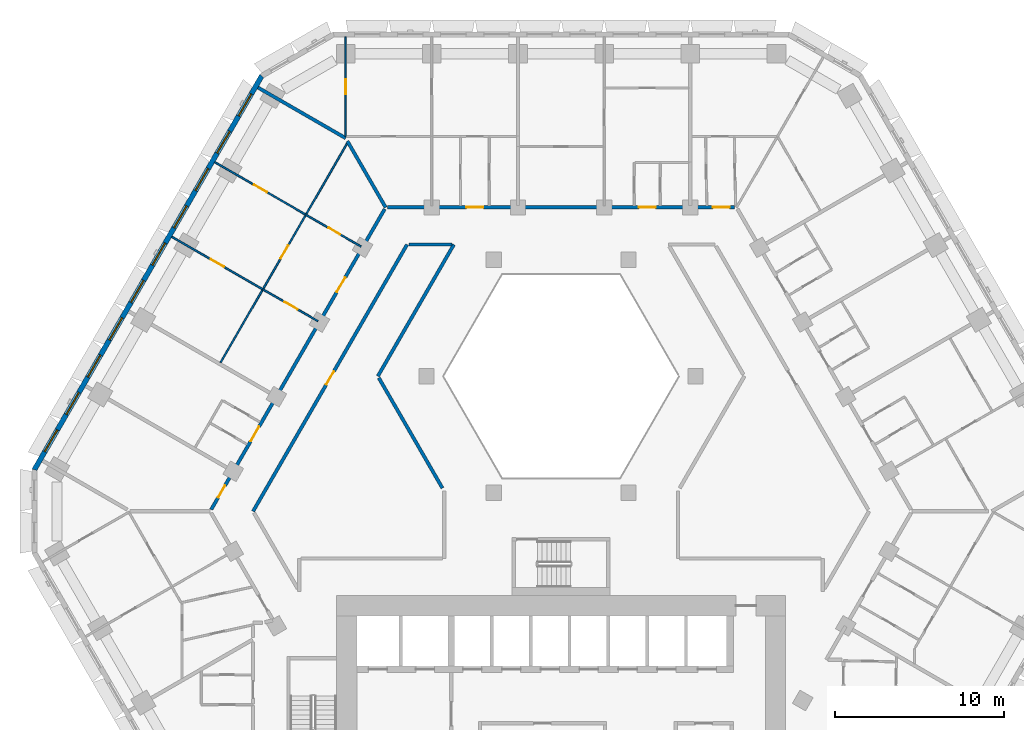
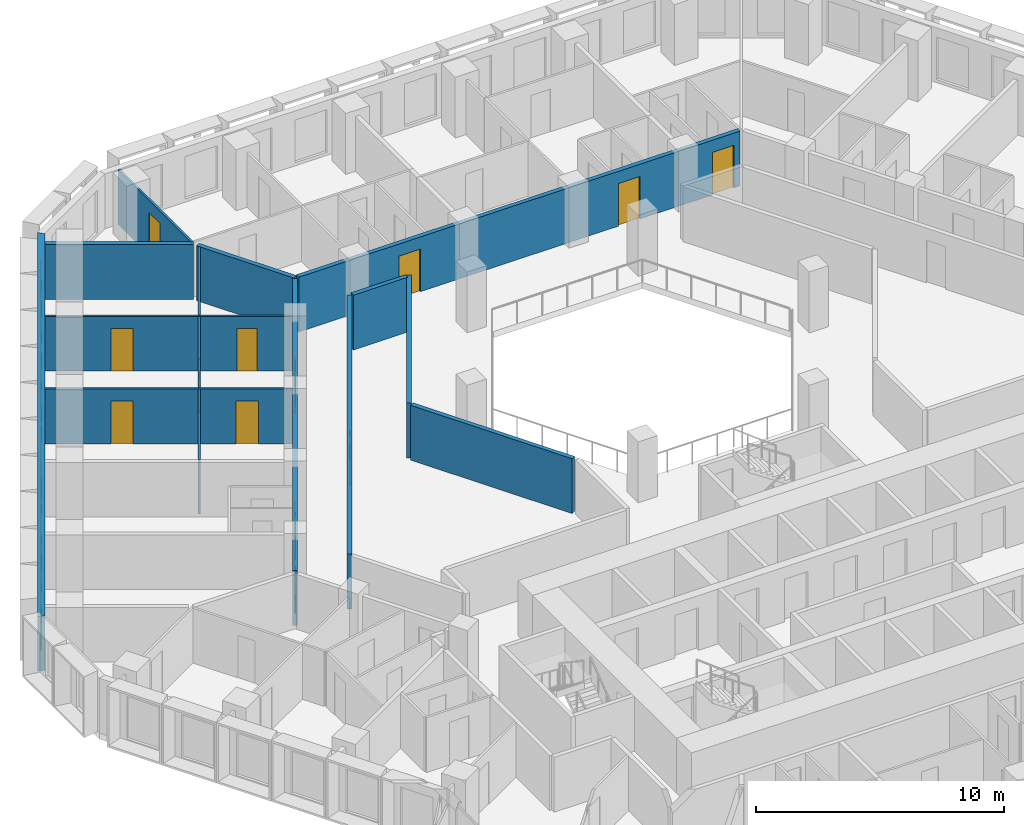
# One storey, part 9 of 21: 15 walls, 13 doors, 10 windows, 23 openings.
"""IFC4 building model written with IfcOpenShell, lengths in metres."""

from ifc_helpers import new_model, si_unit, direction, frame, frame_2d, origin, place, context, subcontext, project, spatial, polyline, rectangle, outline, extrude, material, layer, layer_set, type_object, element, fill, save


model = new_model("IFC4")

# Units and contexts
model_context = context("Model", 3, precision=1e-05, world=origin(), true_north=direction((0.0, 1.0)))
body_context = subcontext(model_context, "Body", "Model", "MODEL_VIEW")
ifc_project = project(units=[si_unit("LENGTHUNIT", "METRE"), si_unit("AREAUNIT", "SQUARE_METRE"), si_unit("VOLUMEUNIT", "CUBIC_METRE"), si_unit("PLANEANGLEUNIT", "RADIAN"), si_unit("MASSUNIT", "GRAM", prefix="KILO")], contexts=[model_context])

# Site, building, storey
site_placement = place(None, origin())
site = spatial("IfcSite", under=ifc_project, at=site_placement, CompositionType="ELEMENT")
building_placement = place(site_placement, origin())
building = spatial("IfcBuilding", under=site, at=building_placement, Name="Beryl Residences", CompositionType="ELEMENT")
storey_placement = place(building_placement, frame((0.0, 0.0, 47.39990234375)))
storey = spatial("IfcBuildingStorey", under=building, at=storey_placement, Name="L14", CompositionType="ELEMENT", Elevation=47.39990234375)

# Wall, openings, windows
ifc_material_1 = material(Name="Composite metal panel with mineral wool insulation")
ifc_layer_1 = layer(ifc_material_1, 0.300048828125)
ifc_layer_set_1 = layer_set([ifc_layer_1], Name="ES1 pale metal composite panel wall 300 mm")
wall_type_1 = type_object("IfcWallType", Name="ES1 pale metal composite panel wall 300 mm", PredefinedType="SOLIDWALL", material=ifc_layer_set_1)
wall_1_placement = place(storey_placement, frame((-17.7099609375, 25.824951171875, 0.0), z_axis=(0.0, 0.0, 1.0), x_axis=(-0.500001938803, -0.866024284413, 0.0)))
wall_1 = element("IfcWall", 1, at=wall_1_placement, inside=storey, type_object=wall_type_1, Name="ES1 external wall L14 NW", PredefinedType="SOLIDWALL", context=body_context, shape_type="SweptSolid", body=[
    extrude(outline(polyline([(0.0, -0.14990234375), (27.02001953125, -0.14990234375), (26.939697265625, 0.14990234375), (0.080322265625, 0.14990234375), (0.0, -0.14990234375)])), origin(), (0.0, 0.0, 1.0), 2.7001953125),
])
opening_1_placement = place(wall_1_placement, frame((1.277099609375, 0.0, 0.14990234375)))
opening_1 = element("IfcOpeningElement", 2, at=opening_1_placement, cuts=wall_1, Name="Opening W1", PredefinedType="OPENING", context=body_context, shape_type="SweptSolid", body=[
    extrude(rectangle(XDim=1.5, YDim=2.10009765625, at=frame_2d((0.75, 1.050048828125))), frame((0.0, 0.159912109375, 0.0), z_axis=(0.0, -1.0, 0.0), x_axis=(1.0, 0.0, 0.0)), (0.0, 0.0, 1.0), 0.320068359375),
])
opening_2_placement = place(wall_1_placement, frame((3.8291015625, 0.0, 0.14990234375)))
opening_2 = element("IfcOpeningElement", 3, at=opening_2_placement, cuts=wall_1, Name="Opening W1", PredefinedType="OPENING", context=body_context, shape_type="SweptSolid", body=[
    extrude(rectangle(XDim=1.5, YDim=2.10009765625, at=frame_2d((0.75, 1.050048828125))), frame((0.0, 0.159912109375, 0.0), z_axis=(0.0, -1.0, 0.0), x_axis=(1.0, 0.0, 0.0)), (0.0, 0.0, 1.0), 0.320068359375),
])
opening_3_placement = place(wall_1_placement, frame((6.382080078125, 0.0, 0.14990234375)))
opening_3 = element("IfcOpeningElement", 4, at=opening_3_placement, cuts=wall_1, Name="Opening W1", PredefinedType="OPENING", context=body_context, shape_type="SweptSolid", body=[
    extrude(rectangle(XDim=1.5, YDim=2.10009765625, at=frame_2d((0.75, 1.050048828125))), frame((0.0, 0.159912109375, 0.0), z_axis=(0.0, -1.0, 0.0), x_axis=(1.0, 0.0, 0.0)), (0.0, 0.0, 1.0), 0.320068359375),
])
opening_4_placement = place(wall_1_placement, frame((8.93310546875, 0.0, 0.14990234375)))
opening_4 = element("IfcOpeningElement", 5, at=opening_4_placement, cuts=wall_1, Name="Opening W1", PredefinedType="OPENING", context=body_context, shape_type="SweptSolid", body=[
    extrude(rectangle(XDim=1.5, YDim=2.10009765625, at=frame_2d((0.75, 1.050048828125))), frame((0.0, 0.159912109375, 0.0), z_axis=(0.0, -1.0, 0.0), x_axis=(1.0, 0.0, 0.0)), (0.0, 0.0, 1.0), 0.320068359375),
])
opening_5_placement = place(wall_1_placement, frame((11.485107421875, 0.0, 0.14990234375)))
opening_5 = element("IfcOpeningElement", 6, at=opening_5_placement, cuts=wall_1, Name="Opening W1", PredefinedType="OPENING", context=body_context, shape_type="SweptSolid", body=[
    extrude(rectangle(XDim=1.5, YDim=2.10009765625, at=frame_2d((0.75, 1.050048828125))), frame((0.0, 0.159912109375, 0.0), z_axis=(0.0, -1.0, 0.0), x_axis=(1.0, 0.0, 0.0)), (0.0, 0.0, 1.0), 0.320068359375),
])
opening_6_placement = place(wall_1_placement, frame((14.037109375, 0.0, 0.14990234375)))
opening_6 = element("IfcOpeningElement", 7, at=opening_6_placement, cuts=wall_1, Name="Opening W1", PredefinedType="OPENING", context=body_context, shape_type="SweptSolid", body=[
    extrude(rectangle(XDim=1.5, YDim=2.10009765625, at=frame_2d((0.75, 1.050048828125))), frame((0.0, 0.159912109375, 0.0), z_axis=(0.0, -1.0, 0.0), x_axis=(1.0, 0.0, 0.0)), (0.0, 0.0, 1.0), 0.320068359375),
])
opening_7_placement = place(wall_1_placement, frame((16.589111328125, 0.0, 0.14990234375)))
opening_7 = element("IfcOpeningElement", 8, at=opening_7_placement, cuts=wall_1, Name="Opening W1", PredefinedType="OPENING", context=body_context, shape_type="SweptSolid", body=[
    extrude(rectangle(XDim=1.5, YDim=2.10009765625, at=frame_2d((0.75, 1.050048828125))), frame((0.0, 0.159912109375, 0.0), z_axis=(0.0, -1.0, 0.0), x_axis=(1.0, 0.0, 0.0)), (0.0, 0.0, 1.0), 0.320068359375),
])
opening_8_placement = place(wall_1_placement, frame((19.14111328125, 0.0, 0.14990234375)))
opening_8 = element("IfcOpeningElement", 9, at=opening_8_placement, cuts=wall_1, Name="Opening W1", PredefinedType="OPENING", context=body_context, shape_type="SweptSolid", body=[
    extrude(rectangle(XDim=1.5, YDim=2.10009765625, at=frame_2d((0.75, 1.050048828125))), frame((0.0, 0.159912109375, 0.0), z_axis=(0.0, -1.0, 0.0), x_axis=(1.0, 0.0, 0.0)), (0.0, 0.0, 1.0), 0.320068359375),
])
opening_9_placement = place(wall_1_placement, frame((21.693115234375, 0.0, 0.14990234375)))
opening_9 = element("IfcOpeningElement", 10, at=opening_9_placement, cuts=wall_1, Name="Opening W1", PredefinedType="OPENING", context=body_context, shape_type="SweptSolid", body=[
    extrude(rectangle(XDim=1.5, YDim=2.10009765625, at=frame_2d((0.75, 1.050048828125))), frame((0.0, 0.159912109375, 0.0), z_axis=(0.0, -1.0, 0.0), x_axis=(1.0, 0.0, 0.0)), (0.0, 0.0, 1.0), 0.320068359375),
])
opening_10_placement = place(wall_1_placement, frame((24.243896484375, 0.0, 0.14990234375)))
opening_10 = element("IfcOpeningElement", 11, at=opening_10_placement, cuts=wall_1, Name="Opening W1", PredefinedType="OPENING", context=body_context, shape_type="SweptSolid", body=[
    extrude(rectangle(XDim=1.5, YDim=2.10009765625, at=frame_2d((0.75, 1.050048828125))), frame((0.0, 0.159912109375, 0.0), z_axis=(0.0, -1.0, 0.0), x_axis=(1.0, 0.0, 0.0)), (0.0, 0.0, 1.0), 0.320068359375),
])
ifc_material_2 = material(Name="Aluminium and clear glass", Category="aluminium")
window_type = type_object("IfcWindowType", Name="W1 cell window 1500 x 2100 mm", PartitioningType="SINGLE_PANEL", PredefinedType="WINDOW", material=ifc_material_2)
window_1_placement = place(opening_1_placement, origin())
window_1 = element("IfcWindow", 12, at=window_1_placement, inside=storey, type_object=window_type, Name="W1 window L14 NW 1", OverallHeight=2.10009765625, OverallWidth=1.5, PartitioningType="SINGLE_PANEL", PredefinedType="WINDOW", context=body_context, shape_type="SweptSolid", body=[
    extrude(rectangle(XDim=1.5, YDim=2.10009765625, at=frame_2d((0.75, 1.050048828125))), frame((0.0, 0.030029296875, 0.0), z_axis=(0.0, -1.0, 0.0), x_axis=(1.0, 0.0, 0.0)), (0.0, 0.0, 1.0), 0.06005859375),
])
fill(opening_1, window_1)
window_2_placement = place(opening_2_placement, origin())
window_2 = element("IfcWindow", 13, at=window_2_placement, inside=storey, type_object=window_type, Name="W1 window L14 NW 2", OverallHeight=2.10009765625, OverallWidth=1.5, PartitioningType="SINGLE_PANEL", PredefinedType="WINDOW", context=body_context, shape_type="SweptSolid", body=[
    extrude(rectangle(XDim=1.5, YDim=2.10009765625, at=frame_2d((0.75, 1.050048828125))), frame((0.0, 0.030029296875, 0.0), z_axis=(0.0, -1.0, 0.0), x_axis=(1.0, 0.0, 0.0)), (0.0, 0.0, 1.0), 0.06005859375),
])
fill(opening_2, window_2)
window_3_placement = place(opening_3_placement, origin())
window_3 = element("IfcWindow", 14, at=window_3_placement, inside=storey, type_object=window_type, Name="W1 window L14 NW 3", OverallHeight=2.10009765625, OverallWidth=1.5, PartitioningType="SINGLE_PANEL", PredefinedType="WINDOW", context=body_context, shape_type="SweptSolid", body=[
    extrude(rectangle(XDim=1.5, YDim=2.10009765625, at=frame_2d((0.75, 1.050048828125))), frame((0.0, 0.030029296875, 0.0), z_axis=(0.0, -1.0, 0.0), x_axis=(1.0, 0.0, 0.0)), (0.0, 0.0, 1.0), 0.06005859375),
])
fill(opening_3, window_3)
window_4_placement = place(opening_4_placement, origin())
window_4 = element("IfcWindow", 15, at=window_4_placement, inside=storey, type_object=window_type, Name="W1 window L14 NW 4", OverallHeight=2.10009765625, OverallWidth=1.5, PartitioningType="SINGLE_PANEL", PredefinedType="WINDOW", context=body_context, shape_type="SweptSolid", body=[
    extrude(rectangle(XDim=1.5, YDim=2.10009765625, at=frame_2d((0.75, 1.050048828125))), frame((0.0, 0.030029296875, 0.0), z_axis=(0.0, -1.0, 0.0), x_axis=(1.0, 0.0, 0.0)), (0.0, 0.0, 1.0), 0.06005859375),
])
fill(opening_4, window_4)
window_5_placement = place(opening_5_placement, origin())
window_5 = element("IfcWindow", 16, at=window_5_placement, inside=storey, type_object=window_type, Name="W1 window L14 NW 5", OverallHeight=2.10009765625, OverallWidth=1.5, PartitioningType="SINGLE_PANEL", PredefinedType="WINDOW", context=body_context, shape_type="SweptSolid", body=[
    extrude(rectangle(XDim=1.5, YDim=2.10009765625, at=frame_2d((0.75, 1.050048828125))), frame((0.0, 0.030029296875, 0.0), z_axis=(0.0, -1.0, 0.0), x_axis=(1.0, 0.0, 0.0)), (0.0, 0.0, 1.0), 0.06005859375),
])
fill(opening_5, window_5)
window_6_placement = place(opening_6_placement, origin())
window_6 = element("IfcWindow", 17, at=window_6_placement, inside=storey, type_object=window_type, Name="W1 window L14 NW 6", OverallHeight=2.10009765625, OverallWidth=1.5, PartitioningType="SINGLE_PANEL", PredefinedType="WINDOW", context=body_context, shape_type="SweptSolid", body=[
    extrude(rectangle(XDim=1.5, YDim=2.10009765625, at=frame_2d((0.75, 1.050048828125))), frame((0.0, 0.030029296875, 0.0), z_axis=(0.0, -1.0, 0.0), x_axis=(1.0, 0.0, 0.0)), (0.0, 0.0, 1.0), 0.06005859375),
])
fill(opening_6, window_6)
window_7_placement = place(opening_7_placement, origin())
window_7 = element("IfcWindow", 18, at=window_7_placement, inside=storey, type_object=window_type, Name="W1 window L14 NW 7", OverallHeight=2.10009765625, OverallWidth=1.5, PartitioningType="SINGLE_PANEL", PredefinedType="WINDOW", context=body_context, shape_type="SweptSolid", body=[
    extrude(rectangle(XDim=1.5, YDim=2.10009765625, at=frame_2d((0.75, 1.050048828125))), frame((0.0, 0.030029296875, 0.0), z_axis=(0.0, -1.0, 0.0), x_axis=(1.0, 0.0, 0.0)), (0.0, 0.0, 1.0), 0.06005859375),
])
fill(opening_7, window_7)
window_8_placement = place(opening_8_placement, origin())
window_8 = element("IfcWindow", 19, at=window_8_placement, inside=storey, type_object=window_type, Name="W1 window L14 NW 8", OverallHeight=2.10009765625, OverallWidth=1.5, PartitioningType="SINGLE_PANEL", PredefinedType="WINDOW", context=body_context, shape_type="SweptSolid", body=[
    extrude(rectangle(XDim=1.5, YDim=2.10009765625, at=frame_2d((0.75, 1.050048828125))), frame((0.0, 0.030029296875, 0.0), z_axis=(0.0, -1.0, 0.0), x_axis=(1.0, 0.0, 0.0)), (0.0, 0.0, 1.0), 0.06005859375),
])
fill(opening_8, window_8)
window_9_placement = place(opening_9_placement, origin())
window_9 = element("IfcWindow", 20, at=window_9_placement, inside=storey, type_object=window_type, Name="W1 window L14 NW 9", OverallHeight=2.10009765625, OverallWidth=1.5, PartitioningType="SINGLE_PANEL", PredefinedType="WINDOW", context=body_context, shape_type="SweptSolid", body=[
    extrude(rectangle(XDim=1.5, YDim=2.10009765625, at=frame_2d((0.75, 1.050048828125))), frame((0.0, 0.030029296875, 0.0), z_axis=(0.0, -1.0, 0.0), x_axis=(1.0, 0.0, 0.0)), (0.0, 0.0, 1.0), 0.06005859375),
])
fill(opening_9, window_9)
window_10_placement = place(opening_10_placement, origin())
window_10 = element("IfcWindow", 21, at=window_10_placement, inside=storey, type_object=window_type, Name="W1 window L14 NW 10", OverallHeight=2.10009765625, OverallWidth=1.5, PartitioningType="SINGLE_PANEL", PredefinedType="WINDOW", context=body_context, shape_type="SweptSolid", body=[
    extrude(rectangle(XDim=1.5, YDim=2.10009765625, at=frame_2d((0.75, 1.050048828125))), frame((0.0, 0.030029296875, 0.0), z_axis=(0.0, -1.0, 0.0), x_axis=(1.0, 0.0, 0.0)), (0.0, 0.0, 1.0), 0.06005859375),
])
fill(opening_10, window_10)

# Wall, opening, door
ifc_material_3 = material(Name="Gypsum board partition on steel studs", Category="steel")
ifc_layer_2 = layer(ifc_material_3, 0.10009765625)
ifc_layer_set_2 = layer_set([ifc_layer_2], Name="PT1 partition 100 mm gypsum board on steel studs")
wall_type_2 = type_object("IfcWallType", Name="PT1 partition 100 mm gypsum board on steel studs", PredefinedType="PARTITIONING", material=ifc_layer_set_2)
wall_2_placement = place(storey_placement, frame((-20.508056640625, 20.678955078125, 0.0), z_axis=(0.0, 0.0, 1.0), x_axis=(0.86607068519, -0.499921562103, 0.0)))
wall_2 = element("IfcWall", 22, at=wall_2_placement, inside=storey, type_object=wall_type_2, Name="Wall PT1 L14 024", PredefinedType="PARTITIONING", context=body_context, shape_type="SweptSolid", body=[
    extrude(rectangle(XDim=6.22705078125, YDim=0.10009765625, at=frame_2d((3.113525390625, 0.0))), origin(), (0.0, 0.0, 1.0), 2.7001953125),
])
opening_11_placement = place(wall_2_placement, frame((2.6630859375, 0.0, 0.0)))
opening_11 = element("IfcOpeningElement", 23, at=opening_11_placement, cuts=wall_2, Name="Opening D0206", PredefinedType="OPENING", context=body_context, shape_type="SweptSolid", body=[
    extrude(rectangle(XDim=0.89990234375, YDim=2.10009765625, at=frame_2d((0.449951171875, 1.050048828125))), frame((0.0, 0.06005859375, 0.0), z_axis=(0.0, -1.0, 0.0), x_axis=(1.0, 0.0, 0.0)), (0.0, 0.0, 1.0), 0.1201171875),
])
ifc_material_4 = material(Name="Timber door leaf", Category="wood")
door_type_1 = type_object("IfcDoorType", Name="D2 room door 900 x 2100 mm", OperationType="SINGLE_SWING_LEFT", PredefinedType="DOOR", material=ifc_material_4)
door_1_placement = place(opening_11_placement, origin())
door_1 = element("IfcDoor", 24, at=door_1_placement, inside=storey, type_object=door_type_1, Name="Door D0206 L14 001", OperationType="SINGLE_SWING_RIGHT", OverallHeight=2.10009765625, OverallWidth=0.89990234375, PredefinedType="DOOR", context=body_context, shape_type="SweptSolid", body=[
    extrude(rectangle(XDim=0.89990234375, YDim=2.10009765625, at=frame_2d((0.449951171875, 1.050048828125))), frame((0.0, 0.02490234375, 0.0), z_axis=(0.0, -1.0, 0.0), x_axis=(1.0, 0.0, 0.0)), (0.0, 0.0, 1.0), 0.050048828125),
])
fill(opening_11, door_1)

wall_3_placement = place(storey_placement, frame((-23.06005859375, 16.259033203125, 0.0), z_axis=(0.0, 0.0, 1.0), x_axis=(0.86607068519, -0.499921562103, 0.0)))
wall_3 = element("IfcWall", 25, at=wall_3_placement, inside=storey, type_object=wall_type_2, Name="Wall PT1 L14 027", PredefinedType="PARTITIONING", context=body_context, shape_type="SweptSolid", body=[
    extrude(rectangle(XDim=6.22705078125, YDim=0.10009765625, at=frame_2d((3.113525390625, 0.0))), origin(), (0.0, 0.0, 1.0), 2.7001953125),
])
opening_12_placement = place(wall_3_placement, frame((2.6630859375, 0.0, 0.0)))
opening_12 = element("IfcOpeningElement", 26, at=opening_12_placement, cuts=wall_3, Name="Opening D0205", PredefinedType="OPENING", context=body_context, shape_type="SweptSolid", body=[
    extrude(rectangle(XDim=0.89990234375, YDim=2.10009765625, at=frame_2d((0.449951171875, 1.050048828125))), frame((0.0, 0.06005859375, 0.0), z_axis=(0.0, -1.0, 0.0), x_axis=(1.0, 0.0, 0.0)), (0.0, 0.0, 1.0), 0.1201171875),
])
door_2_placement = place(opening_12_placement, origin())
door_2 = element("IfcDoor", 27, at=door_2_placement, inside=storey, type_object=door_type_1, Name="Door D0205 L14 001", OperationType="SINGLE_SWING_LEFT", OverallHeight=2.10009765625, OverallWidth=0.89990234375, PredefinedType="DOOR", context=body_context, shape_type="SweptSolid", body=[
    extrude(rectangle(XDim=0.89990234375, YDim=2.10009765625, at=frame_2d((0.449951171875, 1.050048828125))), frame((0.0, 0.02490234375, 0.0), z_axis=(0.0, -1.0, 0.0), x_axis=(1.0, 0.0, 0.0)), (0.0, 0.0, 1.0), 0.050048828125),
])
fill(opening_12, door_2)

wall_4_placement = place(storey_placement, frame((-20.1689453125, 8.81201171875, 0.0), z_axis=(0.0, 0.0, 1.0), x_axis=(0.499995459772, 0.86602802507, 0.0)))
wall_4 = element("IfcWall", 28, at=wall_4_placement, inside=storey, type_object=wall_type_2, Name="Wall PT1 L14 043", PredefinedType="PARTITIONING", context=body_context, shape_type="SweptSolid", body=[
    extrude(rectangle(XDim=14.966064453125, YDim=0.10009765625, at=frame_2d((7.48291015625, 0.0))), origin(), (0.0, 0.0, 1.0), 2.7001953125),
])
opening_13_placement = place(wall_4_placement, frame((7.10498046875, 0.0, 0.0)))
opening_13 = element("IfcOpeningElement", 29, at=opening_13_placement, cuts=wall_4, Name="Opening D0202", PredefinedType="OPENING", context=body_context, shape_type="SweptSolid", body=[
    extrude(rectangle(XDim=0.89990234375, YDim=2.10009765625, at=frame_2d((0.449951171875, 1.050048828125))), frame((0.0, 0.06005859375, 0.0), z_axis=(0.0, -1.0, 0.0), x_axis=(1.0, 0.0, 0.0)), (0.0, 0.0, 1.0), 0.1201171875),
])
door_3_placement = place(opening_13_placement, origin())
door_3 = element("IfcDoor", 30, at=door_3_placement, inside=storey, type_object=door_type_1, Name="Door D0202 L14 001", OperationType="SINGLE_SWING_RIGHT", OverallHeight=2.10009765625, OverallWidth=0.89990234375, PredefinedType="DOOR", context=body_context, shape_type="SweptSolid", body=[
    extrude(rectangle(XDim=0.89990234375, YDim=2.10009765625, at=frame_2d((0.449951171875, 1.050048828125))), frame((0.0, 0.02490234375, 0.0), z_axis=(0.0, -1.0, 0.0), x_axis=(1.0, 0.0, 0.0)), (0.0, 0.0, 1.0), 0.050048828125),
])
fill(opening_13, door_3)

wall_5_placement = place(storey_placement, frame((-12.760986328125, 22.199951171875, 0.0), z_axis=(0.0, 0.0, 1.0), x_axis=(0.0, 1.0, 0.0)))
wall_5 = element("IfcWall", 31, at=wall_5_placement, inside=storey, type_object=wall_type_2, Name="Wall PT1 L14 059", PredefinedType="PARTITIONING", context=body_context, shape_type="SweptSolid", body=[
    extrude(rectangle(XDim=5.900146484375, YDim=0.10009765625, at=frame_2d((2.9501953125, 0.0))), origin(), (0.0, 0.0, 1.0), 2.7001953125),
])
opening_14_placement = place(wall_5_placement, frame((2.5, 0.0, 0.0)))
opening_14 = element("IfcOpeningElement", 32, at=opening_14_placement, cuts=wall_5, Name="Opening D0280", PredefinedType="OPENING", context=body_context, shape_type="SweptSolid", body=[
    extrude(rectangle(XDim=0.89990234375, YDim=2.10009765625, at=frame_2d((0.449951171875, 1.050048828125))), frame((0.0, 0.06005859375, 0.0), z_axis=(0.0, -1.0, 0.0), x_axis=(1.0, 0.0, 0.0)), (0.0, 0.0, 1.0), 0.1201171875),
])
door_4_placement = place(opening_14_placement, origin())
door_4 = element("IfcDoor", 33, at=door_4_placement, inside=storey, type_object=door_type_1, Name="Door D0280 L14 001", OperationType="SINGLE_SWING_RIGHT", OverallHeight=2.10009765625, OverallWidth=0.89990234375, PredefinedType="DOOR", context=body_context, shape_type="SweptSolid", body=[
    extrude(rectangle(XDim=0.89990234375, YDim=2.10009765625, at=frame_2d((0.449951171875, 1.050048828125))), frame((0.0, 0.02490234375, 0.0), z_axis=(0.0, -1.0, 0.0), x_axis=(1.0, 0.0, 0.0)), (0.0, 0.0, 1.0), 0.050048828125),
])
fill(opening_14, door_4)

wall_6_placement = place(storey_placement, frame((-15.114990234375, 17.56591796875, 0.0), z_axis=(0.0, 0.0, 1.0), x_axis=(0.866008894869, -0.50002859319, 0.0)))
wall_6 = element("IfcWall", 34, at=wall_6_placement, inside=storey, type_object=wall_type_2, Name="Wall PT1 L14 076", PredefinedType="PARTITIONING", context=body_context, shape_type="SweptSolid", body=[
    extrude(rectangle(XDim=3.773681640625, YDim=0.10009765625, at=frame_2d((1.88671875, 0.0))), origin(), (0.0, 0.0, 1.0), 2.7001953125),
])
opening_15_placement = place(wall_6_placement, frame((1.535888671875, 0.0, 0.0)))
opening_15 = element("IfcOpeningElement", 35, at=opening_15_placement, cuts=wall_6, Name="Opening D0203", PredefinedType="OPENING", context=body_context, shape_type="SweptSolid", body=[
    extrude(rectangle(XDim=0.800048828125, YDim=2.10009765625, at=frame_2d((0.39990234375, 1.050048828125))), frame((0.0, 0.06005859375, 0.0), z_axis=(0.0, -1.0, 0.0), x_axis=(1.0, 0.0, 0.0)), (0.0, 0.0, 1.0), 0.1201171875),
])
ifc_material_5 = material(Name="Timber door leaf", Category="wood")
door_type_2 = type_object("IfcDoorType", Name="D3 bathroom door 800 x 2100 mm", OperationType="SINGLE_SWING_LEFT", PredefinedType="DOOR", material=ifc_material_5)
door_5_placement = place(opening_15_placement, origin())
door_5 = element("IfcDoor", 36, at=door_5_placement, inside=storey, type_object=door_type_2, Name="Door D0203 L14 001", OperationType="SINGLE_SWING_LEFT", OverallHeight=2.10009765625, OverallWidth=0.800048828125, PredefinedType="DOOR", context=body_context, shape_type="SweptSolid", body=[
    extrude(rectangle(XDim=0.800048828125, YDim=2.10009765625, at=frame_2d((0.39990234375, 1.050048828125))), frame((0.0, 0.02490234375, 0.0), z_axis=(0.0, -1.0, 0.0), x_axis=(1.0, 0.0, 0.0)), (0.0, 0.0, 1.0), 0.050048828125),
])
fill(opening_15, door_5)

wall_7_placement = place(storey_placement, frame((-17.6669921875, 13.14599609375, 0.0), z_axis=(0.0, 0.0, 1.0), x_axis=(0.866008894869, -0.50002859319, 0.0)))
wall_7 = element("IfcWall", 37, at=wall_7_placement, inside=storey, type_object=wall_type_2, Name="Wall PT1 L14 078", PredefinedType="PARTITIONING", context=body_context, shape_type="SweptSolid", body=[
    extrude(rectangle(XDim=3.773681640625, YDim=0.10009765625, at=frame_2d((1.88671875, 0.0))), origin(), (0.0, 0.0, 1.0), 2.7001953125),
])
opening_16_placement = place(wall_7_placement, frame((1.486083984375, 0.0, 0.0)))
opening_16 = element("IfcOpeningElement", 38, at=opening_16_placement, cuts=wall_7, Name="Opening D0204", PredefinedType="OPENING", context=body_context, shape_type="SweptSolid", body=[
    extrude(rectangle(XDim=0.89990234375, YDim=2.10009765625, at=frame_2d((0.449951171875, 1.050048828125))), frame((0.0, 0.06005859375, 0.0), z_axis=(0.0, -1.0, 0.0), x_axis=(1.0, 0.0, 0.0)), (0.0, 0.0, 1.0), 0.1201171875),
])
door_6_placement = place(opening_16_placement, origin())
door_6 = element("IfcDoor", 39, at=door_6_placement, inside=storey, type_object=door_type_1, Name="Door D0204 L14 001", OperationType="SINGLE_SWING_RIGHT", OverallHeight=2.10009765625, OverallWidth=0.89990234375, PredefinedType="DOOR", context=body_context, shape_type="SweptSolid", body=[
    extrude(rectangle(XDim=0.89990234375, YDim=2.10009765625, at=frame_2d((0.449951171875, 1.050048828125))), frame((0.0, 0.02490234375, 0.0), z_axis=(0.0, -1.0, 0.0), x_axis=(1.0, 0.0, 0.0)), (0.0, 0.0, 1.0), 0.050048828125),
])
fill(opening_16, door_6)

# Walls
ifc_material_6 = material(Name="Acoustic double stud gypsum board wall")
ifc_layer_3 = layer(ifc_material_6, 0.199951171875)
ifc_layer_set_3 = layer_set([ifc_layer_3], Name="PT3 party wall 200 mm acoustic double stud")
wall_type_3 = type_object("IfcWallType", Name="PT3 party wall 200 mm acoustic double stud", PredefinedType="PARTITIONING", material=ifc_layer_set_3)
wall_8_placement = place(storey_placement, frame((-12.658935546875, 21.926025390625, 0.0), z_axis=(0.0, 0.0, 1.0), x_axis=(0.500025458316, -0.86601070492, 0.0)))
element("IfcWall", 40, at=wall_8_placement, inside=storey, type_object=wall_type_3, Name="Wall PT3 L14 001", PredefinedType="PARTITIONING", context=body_context, shape_type="SweptSolid", body=[
    extrude(rectangle(XDim=4.533447265625, YDim=0.199951171875, at=frame_2d((2.2666015625, 0.0))), origin(), (0.0, 0.0, 1.0), 2.7001953125),
])
wall_9_placement = place(storey_placement, frame((-17.955078125, 25.09912109375, 0.0), z_axis=(0.0, 0.0, 1.0), x_axis=(0.86609140076, -0.499885672459, 0.0)))
element("IfcWall", 41, at=wall_9_placement, inside=storey, type_object=wall_type_3, Name="Wall PT3 L14 012", PredefinedType="PARTITIONING", context=body_context, shape_type="SweptSolid", body=[
    extrude(rectangle(XDim=5.99951171875, YDim=0.199951171875, at=frame_2d((2.999755859375, 0.0))), origin(), (0.0, 0.0, 1.0), 2.7001953125),
])
ifc_material_7 = material(Name="Double stud gypsum board wall")
ifc_layer_4 = layer(ifc_material_7, 0.199951171875)
ifc_layer_set_4 = layer_set([ifc_layer_4], Name="PT4 corridor wall 200 mm double stud")
wall_type_4 = type_object("IfcWallType", Name="PT4 corridor wall 200 mm double stud", PredefinedType="PARTITIONING", material=ifc_layer_set_4)
wall_10_placement = place(storey_placement, frame((-10.7958984375, 7.89990234375, 0.0), z_axis=(0.0, 0.0, 1.0), x_axis=(0.499954271211, -0.866051803703, 0.0)))
element("IfcWall", 42, at=wall_10_placement, inside=storey, type_object=wall_type_4, Name="Wall PT4 L14 001", PredefinedType="PARTITIONING", context=body_context, shape_type="SweptSolid", body=[
    extrude(rectangle(XDim=7.536376953125, YDim=0.199951171875, at=frame_2d((3.76806640625, 0.0))), origin(), (0.0, 0.0, 1.0), 2.7001953125),
])
wall_11_placement = place(storey_placement, frame((-9.006103515625, 15.800048828125, 0.0), z_axis=(0.0, 0.0, 1.0), x_axis=(1.0, 0.0, 0.0)))
element("IfcWall", 43, at=wall_11_placement, inside=storey, type_object=wall_type_4, Name="Wall PT4 L14 017", PredefinedType="PARTITIONING", context=body_context, shape_type="SweptSolid", body=[
    extrude(rectangle(XDim=2.5400390625, YDim=0.199951171875, at=frame_2d((1.27001953125, 0.0))), origin(), (0.0, 0.0, 1.0), 2.7001953125),
])

# Wall, openings, doors
wall_12_placement = place(storey_placement, frame((-10.27587890625, 18.0, 0.0), z_axis=(0.0, 0.0, 1.0), x_axis=(1.0, 0.0, 0.0)))
wall_12 = element("IfcWall", 44, at=wall_12_placement, inside=storey, type_object=wall_type_4, Name="Wall PT4 L14 019", PredefinedType="PARTITIONING", context=body_context, shape_type="SweptSolid", body=[
    extrude(rectangle(XDim=20.557861328125, YDim=0.199951171875, at=frame_2d((10.27880859375, 0.0))), origin(), (0.0, 0.0, 1.0), 2.7001953125),
])
opening_17_placement = place(wall_12_placement, frame((19.264892578125, 0.0, 0.0)))
opening_17 = element("IfcOpeningElement", 45, at=opening_17_placement, cuts=wall_12, Name="Opening D0263", PredefinedType="OPENING", context=body_context, shape_type="SweptSolid", body=[
    extrude(rectangle(XDim=1.0, YDim=2.10009765625, at=frame_2d((0.5, 1.050048828125))), frame((0.0, 0.10986328125, 0.0), z_axis=(0.0, -1.0, 0.0), x_axis=(1.0, 0.0, 0.0)), (0.0, 0.0, 1.0), 0.219970703125),
])
opening_18_placement = place(wall_12_placement, frame((14.87890625, 0.0, 0.0)))
opening_18 = element("IfcOpeningElement", 46, at=opening_18_placement, cuts=wall_12, Name="Opening D0269", PredefinedType="OPENING", context=body_context, shape_type="SweptSolid", body=[
    extrude(rectangle(XDim=1.0, YDim=2.10009765625, at=frame_2d((0.5, 1.050048828125))), frame((0.0, 0.10986328125, 0.0), z_axis=(0.0, -1.0, 0.0), x_axis=(1.0, 0.0, 0.0)), (0.0, 0.0, 1.0), 0.219970703125),
])
opening_19_placement = place(wall_12_placement, frame((4.6708984375, 0.0, 0.0)))
opening_19 = element("IfcOpeningElement", 47, at=opening_19_placement, cuts=wall_12, Name="Opening D0275", PredefinedType="OPENING", context=body_context, shape_type="SweptSolid", body=[
    extrude(rectangle(XDim=1.0, YDim=2.10009765625, at=frame_2d((0.5, 1.050048828125))), frame((0.0, 0.10986328125, 0.0), z_axis=(0.0, -1.0, 0.0), x_axis=(1.0, 0.0, 0.0)), (0.0, 0.0, 1.0), 0.219970703125),
])
ifc_material_8 = material(Name="Timber door leaf", Category="wood")
door_type_3 = type_object("IfcDoorType", Name="D1 flat entrance door 1000 x 2100 mm", OperationType="SINGLE_SWING_LEFT", PredefinedType="DOOR", material=ifc_material_8)
door_7_placement = place(opening_17_placement, origin())
door_7 = element("IfcDoor", 48, at=door_7_placement, inside=storey, type_object=door_type_3, Name="Door D0263 L14 001", OperationType="SINGLE_SWING_LEFT", OverallHeight=2.10009765625, OverallWidth=1.0, PredefinedType="DOOR", context=body_context, shape_type="SweptSolid", body=[
    extrude(rectangle(XDim=1.0, YDim=2.10009765625, at=frame_2d((0.5, 1.050048828125))), frame((0.0, 0.02490234375, 0.0), z_axis=(0.0, -1.0, 0.0), x_axis=(1.0, 0.0, 0.0)), (0.0, 0.0, 1.0), 0.050048828125),
])
fill(opening_17, door_7)
door_8_placement = place(opening_18_placement, origin())
door_8 = element("IfcDoor", 49, at=door_8_placement, inside=storey, type_object=door_type_3, Name="Door D0269 L14 001", OperationType="SINGLE_SWING_LEFT", OverallHeight=2.10009765625, OverallWidth=1.0, PredefinedType="DOOR", context=body_context, shape_type="SweptSolid", body=[
    extrude(rectangle(XDim=1.0, YDim=2.10009765625, at=frame_2d((0.5, 1.050048828125))), frame((0.0, 0.02490234375, 0.0), z_axis=(0.0, -1.0, 0.0), x_axis=(1.0, 0.0, 0.0)), (0.0, 0.0, 1.0), 0.050048828125),
])
fill(opening_18, door_8)
door_9_placement = place(opening_19_placement, origin())
door_9 = element("IfcDoor", 50, at=door_9_placement, inside=storey, type_object=door_type_3, Name="Door D0275 L14 001", OperationType="SINGLE_SWING_LEFT", OverallHeight=2.10009765625, OverallWidth=1.0, PredefinedType="DOOR", context=body_context, shape_type="SweptSolid", body=[
    extrude(rectangle(XDim=1.0, YDim=2.10009765625, at=frame_2d((0.5, 1.050048828125))), frame((0.0, 0.02490234375, 0.0), z_axis=(0.0, -1.0, 0.0), x_axis=(1.0, 0.0, 0.0)), (0.0, 0.0, 1.0), 0.050048828125),
])
fill(opening_19, door_9)

# Wall
wall_13_placement = place(storey_placement, frame((-10.85400390625, 8.0, 0.0), z_axis=(0.0, 0.0, 1.0), x_axis=(0.499964141897, 0.86604610548, 0.0)))
element("IfcWall", 51, at=wall_13_placement, inside=storey, type_object=wall_type_4, Name="Wall PT4 L14 024", PredefinedType="PARTITIONING", context=body_context, shape_type="SweptSolid", body=[
    extrude(rectangle(XDim=9.006591796875, YDim=0.199951171875, at=frame_2d((4.50341796875, 0.0))), origin(), (0.0, 0.0, 1.0), 2.7001953125),
])

# Wall, opening, door
wall_14_placement = place(storey_placement, frame((-18.243896484375, -0.0009765625, 0.0), z_axis=(0.0, 0.0, 1.0), x_axis=(0.499962999376, 0.866046765051, 0.0)))
wall_14 = element("IfcWall", 52, at=wall_14_placement, inside=storey, type_object=wall_type_4, Name="Wall PT4 L14 025", PredefinedType="PARTITIONING", context=body_context, shape_type="SweptSolid", body=[
    extrude(rectangle(XDim=18.2451171875, YDim=0.199951171875, at=frame_2d((9.12255859375, 0.0))), origin(), (0.0, 0.0, 1.0), 2.7001953125),
])
opening_20_placement = place(wall_14_placement, frame((8.672119140625, 0.0, 0.0)))
opening_20 = element("IfcOpeningElement", 53, at=opening_20_placement, cuts=wall_14, Name="Opening D0282", PredefinedType="OPENING", context=body_context, shape_type="SweptSolid", body=[
    extrude(rectangle(XDim=0.89990234375, YDim=2.10009765625, at=frame_2d((0.449951171875, 1.050048828125))), frame((0.0, 0.10986328125, 0.0), z_axis=(0.0, -1.0, 0.0), x_axis=(1.0, 0.0, 0.0)), (0.0, 0.0, 1.0), 0.219970703125),
])
door_10_placement = place(opening_20_placement, origin())
door_10 = element("IfcDoor", 54, at=door_10_placement, inside=storey, type_object=door_type_1, Name="Door D0282 L14 001", OperationType="SINGLE_SWING_RIGHT", OverallHeight=2.10009765625, OverallWidth=0.89990234375, PredefinedType="DOOR", context=body_context, shape_type="SweptSolid", body=[
    extrude(rectangle(XDim=0.89990234375, YDim=2.10009765625, at=frame_2d((0.449951171875, 1.050048828125))), frame((0.0, 0.02490234375, 0.0), z_axis=(0.0, -1.0, 0.0), x_axis=(1.0, 0.0, 0.0)), (0.0, 0.0, 1.0), 0.050048828125),
])
fill(opening_20, door_10)

# Wall, openings, doors
wall_15_placement = place(storey_placement, frame((-20.72705078125, 0.09912109375, 0.0), z_axis=(0.0, 0.0, 1.0), x_axis=(0.499993204491, 0.866029327138, 0.0)))
wall_15 = element("IfcWall", 55, at=wall_15_placement, inside=storey, type_object=wall_type_4, Name="Wall PT4 L14 026", PredefinedType="PARTITIONING", context=body_context, shape_type="SweptSolid", body=[
    extrude(rectangle(XDim=20.554443359375, YDim=0.199951171875, at=frame_2d((10.27734375, 0.0))), origin(), (0.0, 0.0, 1.0), 2.7001953125),
])
opening_21_placement = place(wall_15_placement, frame((14.8798828125, 0.0, 0.0)))
opening_21 = element("IfcOpeningElement", 56, at=opening_21_placement, cuts=wall_15, Name="Opening D0201", PredefinedType="OPENING", context=body_context, shape_type="SweptSolid", body=[
    extrude(rectangle(XDim=1.0, YDim=2.10009765625, at=frame_2d((0.5, 1.050048828125))), frame((0.0, 0.10986328125, 0.0), z_axis=(0.0, -1.0, 0.0), x_axis=(1.0, 0.0, 0.0)), (0.0, 0.0, 1.0), 0.219970703125),
])
opening_22_placement = place(wall_15_placement, frame((4.673095703125, 0.0, 0.0)))
opening_22 = element("IfcOpeningElement", 57, at=opening_22_placement, cuts=wall_15, Name="Opening D0207", PredefinedType="OPENING", context=body_context, shape_type="SweptSolid", body=[
    extrude(rectangle(XDim=1.0, YDim=2.10009765625, at=frame_2d((0.5, 1.050048828125))), frame((0.0, 0.10986328125, 0.0), z_axis=(0.0, -1.0, 0.0), x_axis=(1.0, 0.0, 0.0)), (0.0, 0.0, 1.0), 0.219970703125),
])
opening_23_placement = place(wall_15_placement, frame((0.837890625, 0.0, 0.0)))
opening_23 = element("IfcOpeningElement", 58, at=opening_23_placement, cuts=wall_15, Name="Opening D0210", PredefinedType="OPENING", context=body_context, shape_type="SweptSolid", body=[
    extrude(rectangle(XDim=0.800048828125, YDim=2.10009765625, at=frame_2d((0.39990234375, 1.050048828125))), frame((0.0, 0.10986328125, 0.0), z_axis=(0.0, -1.0, 0.0), x_axis=(1.0, 0.0, 0.0)), (0.0, 0.0, 1.0), 0.219970703125),
])
door_11_placement = place(opening_21_placement, origin())
door_11 = element("IfcDoor", 59, at=door_11_placement, inside=storey, type_object=door_type_3, Name="Door D0201 L14 001", OperationType="SINGLE_SWING_LEFT", OverallHeight=2.10009765625, OverallWidth=1.0, PredefinedType="DOOR", context=body_context, shape_type="SweptSolid", body=[
    extrude(rectangle(XDim=1.0, YDim=2.10009765625, at=frame_2d((0.5, 1.050048828125))), frame((0.0, 0.02490234375, 0.0), z_axis=(0.0, -1.0, 0.0), x_axis=(1.0, 0.0, 0.0)), (0.0, 0.0, 1.0), 0.050048828125),
])
fill(opening_21, door_11)
door_12_placement = place(opening_22_placement, origin())
door_12 = element("IfcDoor", 60, at=door_12_placement, inside=storey, type_object=door_type_3, Name="Door D0207 L14 001", OperationType="SINGLE_SWING_LEFT", OverallHeight=2.10009765625, OverallWidth=1.0, PredefinedType="DOOR", context=body_context, shape_type="SweptSolid", body=[
    extrude(rectangle(XDim=1.0, YDim=2.10009765625, at=frame_2d((0.5, 1.050048828125))), frame((0.0, 0.02490234375, 0.0), z_axis=(0.0, -1.0, 0.0), x_axis=(1.0, 0.0, 0.0)), (0.0, 0.0, 1.0), 0.050048828125),
])
fill(opening_22, door_12)
door_13_placement = place(opening_23_placement, origin())
door_13 = element("IfcDoor", 61, at=door_13_placement, inside=storey, type_object=door_type_2, Name="Door D0210 L14 001", OperationType="SINGLE_SWING_RIGHT", OverallHeight=2.10009765625, OverallWidth=0.800048828125, PredefinedType="DOOR", context=body_context, shape_type="SweptSolid", body=[
    extrude(rectangle(XDim=0.800048828125, YDim=2.10009765625, at=frame_2d((0.39990234375, 1.050048828125))), frame((0.0, 0.02490234375, 0.0), z_axis=(0.0, -1.0, 0.0), x_axis=(1.0, 0.0, 0.0)), (0.0, 0.0, 1.0), 0.050048828125),
])
fill(opening_23, door_13)

save(model, "model.ifc")
